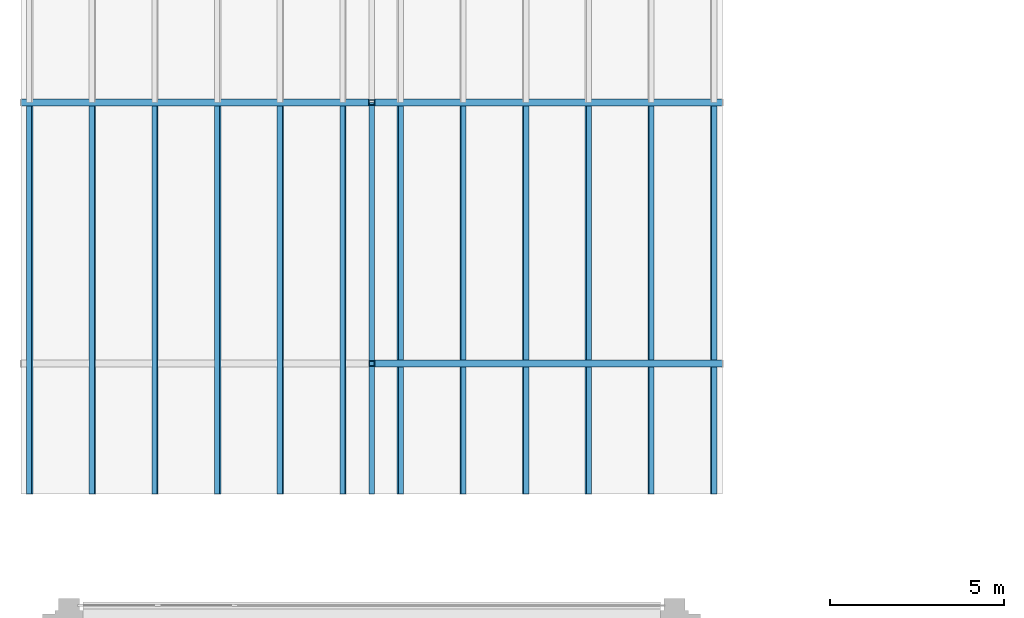
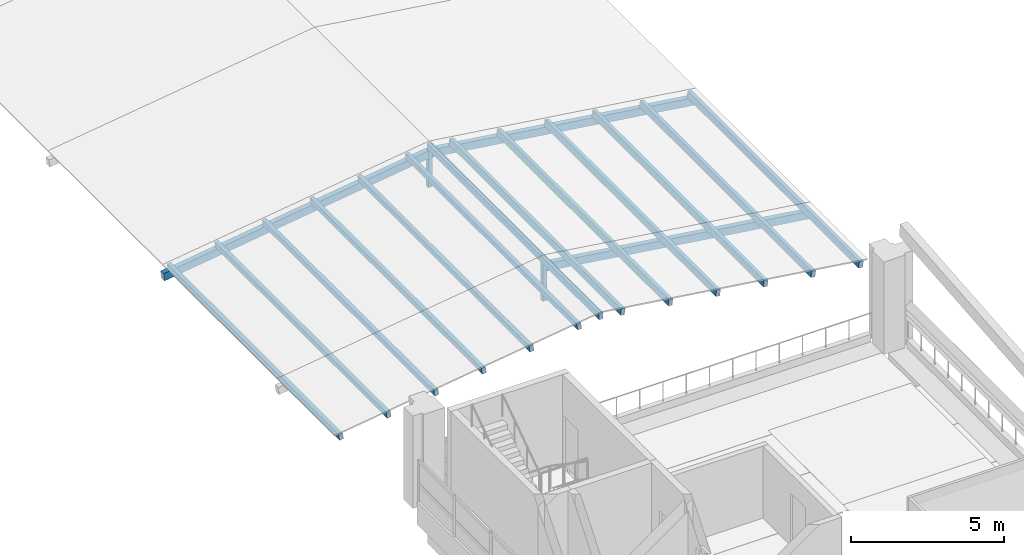
# One storey, part 7 of 52: 18 members.
"""IFC4 building model written with IfcOpenShell, lengths in metres."""

from ifc_helpers import new_model, si_unit, direction, frame, origin, origin_2d, place, context, subcontext, project, spatial, hollow_rectangle, extrude, material, material_profile, profile_set, type_object, element, save


model = new_model("IFC4")

# Units and contexts
model_context = context("Model", 3, precision=1e-05, world=origin(), true_north=direction((0.0, 1.0)))
body_context = subcontext(model_context, "Body", "Model", "MODEL_VIEW")
ifc_project = project(units=[si_unit("LENGTHUNIT", "METRE"), si_unit("AREAUNIT", "SQUARE_METRE"), si_unit("VOLUMEUNIT", "CUBIC_METRE"), si_unit("PLANEANGLEUNIT", "RADIAN"), si_unit("MASSUNIT", "GRAM", prefix="KILO")], contexts=[model_context])

# Site, building, storey
site_placement = place(None, origin())
site = spatial("IfcSite", under=ifc_project, at=site_placement, CompositionType="ELEMENT")
building_placement = place(site_placement, origin())
building = spatial("IfcBuilding", under=site, at=building_placement, Name="Cour d'Honneur Mobility Palace", CompositionType="ELEMENT")
storey_placement = place(building_placement, frame((0.0, 0.0, 23.0)))
storey = spatial("IfcBuildingStorey", under=building, at=storey_placement, Name="L06", CompositionType="ELEMENT", Elevation=23.0)

# Members
ifc_material_1 = material(Name="Steel S355", Category="steel")
ifc_material_profile_1 = material_profile(ifc_material_1, hollow_rectangle(XDim=0.14990234375, YDim=0.14990234375, WallThickness=0.008056640625, at=origin_2d()), Name="RHS 150x150x8")
ifc_profile_set_1 = profile_set([ifc_material_profile_1], Name="Steel S355")
member_type_1 = type_object("IfcMemberType", Name="Terrace king post RHS 150x150x8", PredefinedType="STRUT", material=ifc_profile_set_1)
for number, where, z_axis, x_axis, name in (
    (1, (8.699951171875, 69.89990234375, 0.300048828125), (0.0, 0.0, 1.0), (1.0, 0.0, 0.0), "Terrace king post TK-C1"),
    (2, (8.699951171875, 77.39990234375, 0.300048828125), (0.0, 0.0, 1.0), (1.0, 0.0, 0.0), "Terrace king post TK-C2"),
):
    element("IfcMember", number, at=place(storey_placement, frame(where, z_axis=z_axis, x_axis=x_axis)), inside=storey, type_object=member_type_1, Name=name, PredefinedType="STRUT", context=body_context, shape_type="SweptSolid", body=[
        extrude(hollow_rectangle(XDim=0.14990234375, YDim=0.14990234375, WallThickness=0.008056640625, at=origin_2d()), origin(), (0.0, 0.0, 1.0), 1.5029296875),
    ])
ifc_material_2 = material(Name="Steel S355", Category="steel")
ifc_material_profile_2 = material_profile(ifc_material_2, hollow_rectangle(XDim=0.14990234375, YDim=0.25, WallThickness=0.010009765625, at=origin_2d()), Name="RHS 250x150x10")
ifc_profile_set_2 = profile_set([ifc_material_profile_2], Name="Steel S355")
member_type_2 = type_object("IfcMemberType", Name="Terrace purlin RHS 250x150x10", PredefinedType="PURLIN", material=ifc_profile_set_2)
for number, where, z_axis, x_axis, name in (
    (3, (-1.125, 66.14990234375, 0.55419921875), (0.0, 1.0, 0.0), (-0.990349673475, 0.0, -0.138591212736), "Terrace purlin TU-C1.1"),
    (4, (0.675048828125, 66.14990234375, 0.80615234375), (0.0, 1.0, 0.0), (-0.990349673475, 0.0, -0.138591212736), "Terrace purlin TU-C2.1"),
    (5, (2.47509765625, 66.14990234375, 1.05810546875), (0.0, 1.0, 0.0), (-0.990349673475, 0.0, -0.138591212736), "Terrace purlin TU-C3.1"),
    (6, (4.27490234375, 66.14990234375, 1.309814453125), (0.0, 1.0, 0.0), (-0.990349673475, 0.0, -0.138591212736), "Terrace purlin TU-C4.1"),
    (7, (6.074951171875, 66.14990234375, 1.561767578125), (0.0, 1.0, 0.0), (-0.990349673475, 0.0, -0.138591212736), "Terrace purlin TU-C5.1"),
    (8, (7.875, 66.14990234375, 1.813720703125), (0.0, 1.0, 0.0), (-0.990349673475, 0.0, -0.138591212736), "Terrace purlin TU-C6.1"),
    (9, (18.52490234375, 66.14990234375, 0.55419921875), (0.0, 1.0, 0.0), (-0.990349673475, 0.0, 0.138591212736), "Terrace purlin TU-C7.1"),
    (10, (16.72509765625, 66.14990234375, 0.80615234375), (0.0, 1.0, 0.0), (-0.990349673475, 0.0, 0.138591212736), "Terrace purlin TU-C8.1"),
    (11, (14.925048828125, 66.14990234375, 1.05810546875), (0.0, 1.0, 0.0), (-0.990349673475, 0.0, 0.138591212736), "Terrace purlin TU-C9.1"),
    (12, (13.125, 66.14990234375, 1.309814453125), (0.0, 1.0, 0.0), (-0.990349673475, 0.0, 0.138591212736), "Terrace purlin TU-C10.1"),
    (13, (11.324951171875, 66.14990234375, 1.561767578125), (0.0, 1.0, 0.0), (-0.990349673475, 0.0, 0.138591212736), "Terrace purlin TU-C11.1"),
    (14, (9.52490234375, 66.14990234375, 1.813720703125), (0.0, 1.0, 0.0), (-0.990349673475, 0.0, 0.138591212736), "Terrace purlin TU-C12.1"),
    (15, (8.699951171875, 66.14990234375, 1.927978515625), (0.0, 1.0, 0.0), (-1.0, 0.0, 0.0), "Terrace purlin TU-C13.1"),
):
    element("IfcMember", number, at=place(storey_placement, frame(where, z_axis=z_axis, x_axis=x_axis)), inside=storey, type_object=member_type_2, Name=name, PredefinedType="PURLIN", context=body_context, shape_type="SweptSolid", body=[
        extrude(hollow_rectangle(XDim=0.14990234375, YDim=0.25, WallThickness=0.010009765625, at=origin_2d()), origin(), (0.0, 0.0, 1.0), 11.25),
    ])
ifc_material_3 = material(Name="Steel S355", Category="steel")
ifc_material_profile_3 = material_profile(ifc_material_3, hollow_rectangle(XDim=0.199951171875, YDim=0.300048828125, WallThickness=0.012451171875, at=origin_2d()), Name="RHS 300x200x12.5")
ifc_profile_set_3 = profile_set([ifc_material_profile_3], Name="Steel S355")
member_type_3 = type_object("IfcMemberType", Name="Terrace rafter RHS 300x200x12.5", PredefinedType="RAFTER", material=ifc_profile_set_3)
for number, where, z_axis, x_axis, name in (
    (16, (8.77490234375, 69.89990234375, 1.640869140625), (0.990349712833, 0.0, -0.138590931493), (0.0, 1.0, 0.0), "Terrace rafter TF-C1E"),
    (17, (-1.375, 77.39990234375, 0.241455078125), (0.990349712833, 0.0, 0.138590931493), (0.0, 1.0, 0.0), "Terrace rafter TF-C2W"),
    (18, (8.77490234375, 77.39990234375, 1.640869140625), (0.990349712833, 0.0, -0.138590931493), (0.0, 1.0, 0.0), "Terrace rafter TF-C2E"),
):
    element("IfcMember", number, at=place(storey_placement, frame(where, z_axis=z_axis, x_axis=x_axis)), inside=storey, type_object=member_type_3, Name=name, PredefinedType="RAFTER", context=body_context, shape_type="SweptSolid", body=[
        extrude(hollow_rectangle(XDim=0.199951171875, YDim=0.300048828125, WallThickness=0.012451171875, at=origin_2d()), origin(), (0.0, 0.0, 1.0), 10.097412109375),
    ])

save(model, "model.ifc")
